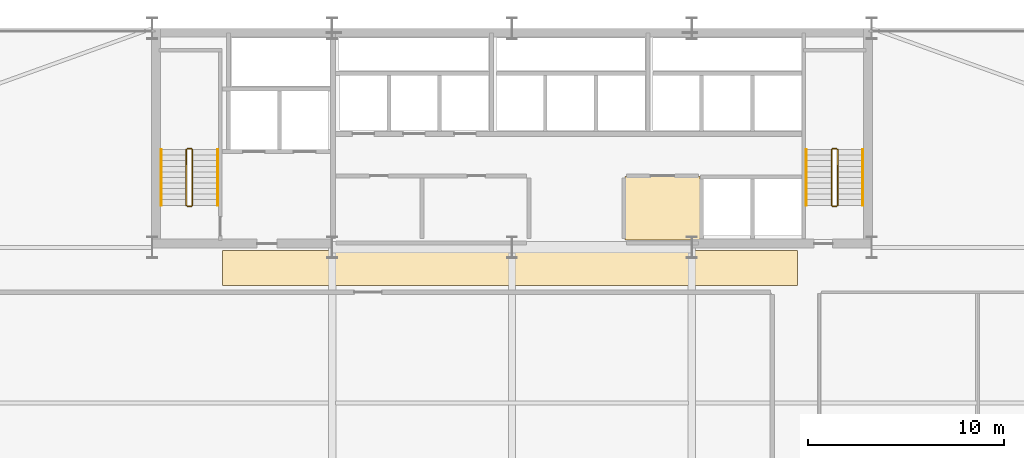
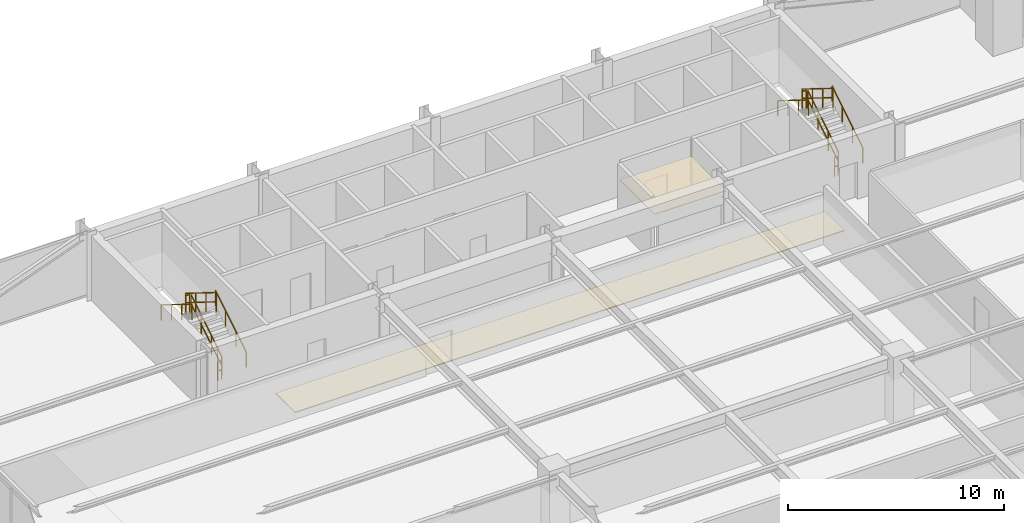
# One storey, part 31 of 31: 12 railings, 2 coverings.
"""IFC4 building model written with IfcOpenShell, lengths in metres."""

from ifc_helpers import new_model, si_unit, direction, frame, origin, origin_2d, place, context, subcontext, project, spatial, polyline, rectangle, outline, extrude, material, layer, layer_set, type_object, element, save


model = new_model("IFC4")

# Units and contexts
model_context = context("Model", 3, precision=1e-05, world=origin(), true_north=direction((0.0, 1.0)))
body_context = subcontext(model_context, "Body", "Model", "MODEL_VIEW")
ifc_project = project(units=[si_unit("LENGTHUNIT", "METRE"), si_unit("AREAUNIT", "SQUARE_METRE"), si_unit("VOLUMEUNIT", "CUBIC_METRE"), si_unit("PLANEANGLEUNIT", "RADIAN"), si_unit("MASSUNIT", "GRAM", prefix="KILO")], contexts=[model_context])

# Site, building, storey
site_placement = place(None, origin())
site = spatial("IfcSite", under=ifc_project, at=site_placement, CompositionType="ELEMENT")
building_placement = place(site_placement, origin())
building = spatial("IfcBuilding", under=site, at=building_placement, Name="Varnel Quay Broadcast Tower", CompositionType="ELEMENT")
storey_placement = place(building_placement, frame((0.0, 0.0, 39.300048828125)))
storey = spatial("IfcBuildingStorey", under=building, at=storey_placement, Name="L08", CompositionType="ELEMENT", Elevation=39.300048828125)

# Coverings
ifc_material_1 = material(Name="Micro-Perforated Acoustic Ceiling Tile")
ifc_layer_1 = layer(ifc_material_1, 0.0400390625, Name="Micro-Perforated Acoustic Ceiling Tile")
ifc_layer_set_1 = layer_set([ifc_layer_1], Name="Micro-Perforated Acoustic Ceiling Tile")
covering_type_1 = type_object("IfcCoveringType", Name="Cov_AcousticCeiling", PredefinedType="CEILING", material=ifc_layer_set_1)
covering_1_placement = place(storey_placement, frame((0.0, 0.0, 2.579833984375)))
element("IfcCovering", 1, at=covering_1_placement, inside=storey, type_object=covering_type_1, Name="L08 Electrical Sub-Distribution Closet Acoustic Ceiling", PredefinedType="CEILING", context=body_context, shape_type="SweptSolid", body=[
    extrude(outline(polyline([(39.784912109375, 35.985107421875), (43.614990234375, 35.985107421875), (43.614990234375, 39.215087890625), (39.784912109375, 39.215087890625), (39.784912109375, 35.985107421875)])), origin(), (0.0, 0.0, 1.0), 0.0400390625),
])
ifc_material_2 = material(Name="Polished Terrazzo & Broadcast Raised Flooring")
ifc_layer_2 = layer(ifc_material_2, 0.0400390625, Name="Polished Terrazzo & Broadcast Raised Flooring")
ifc_layer_set_2 = layer_set([ifc_layer_2], Name="Polished Terrazzo & Broadcast Raised Flooring")
covering_type_2 = type_object("IfcCoveringType", Name="Cov_TerrazzoFloor", PredefinedType="FLOORING", material=ifc_layer_set_2)
covering_2_placement = place(storey_placement, origin())
element("IfcCovering", 2, at=covering_2_placement, inside=storey, type_object=covering_type_2, Name="L08 Corridor Terrazzo Flooring", PredefinedType="FLOORING", context=body_context, shape_type="SweptSolid", body=[
    extrude(outline(polyline([(19.199951171875, 33.64990234375), (48.60009765625, 33.64990234375), (48.60009765625, 35.449951171875), (19.199951171875, 35.449951171875), (19.199951171875, 33.64990234375)])), origin(), (0.0, 0.0, 1.0), 0.0400390625),
])

# Railings
ifc_material_3 = material(Name="Painted Steel Guard and Handrail CSA G40.21 350W", Category="steel")
railing_type_1 = type_object("IfcRailingType", Name="Rail_StairGuard1100", PredefinedType="GUARDRAIL", material=ifc_material_3)
railing_1_placement = place(storey_placement, frame((17.64990234375, 37.75, 0.17724609375)))
element("IfcRailing", 3, at=railing_1_placement, inside=storey, type_object=railing_type_1, Name="L08 ST-01 stair guard 1", PredefinedType="GUARDRAIL", context=body_context, shape_type="SweptSolid", body=[
    extrude(rectangle(XDim=0.048095703125, YDim=0.048095703125, at=origin_2d()), frame((0.0, 0.0, 1.076171875), z_axis=(0.0, 0.849148672731, 0.528153890072), x_axis=(-1.0, 0.0, 0.0)), (0.0, 0.0, 1.0), 3.3564453125),
    extrude(rectangle(XDim=0.048095703125, YDim=0.048095703125, at=origin_2d()), frame((0.0, 0.0, 0.550048828125), z_axis=(0.0, 0.849148672731, 0.528153890072), x_axis=(-1.0, 0.0, 0.0)), (0.0, 0.0, 1.0), 3.3564453125),
    extrude(rectangle(XDim=0.0419921875, YDim=0.0419921875, at=origin_2d()), origin(), (0.0, 0.0, 1.0), 1.052001953125),
    extrude(rectangle(XDim=0.0419921875, YDim=0.0419921875, at=origin_2d()), frame((0.0, 0.949951171875, 0.5908203125)), (0.0, 0.0, 1.0), 1.052001953125),
    extrude(rectangle(XDim=0.0419921875, YDim=0.0419921875, at=origin_2d()), frame((0.0, 1.900146484375, 1.181884765625)), (0.0, 0.0, 1.0), 1.052001953125),
    extrude(rectangle(XDim=0.0419921875, YDim=0.0419921875, at=origin_2d()), frame((0.0, 2.85009765625, 1.772705078125)), (0.0, 0.0, 1.0), 1.052001953125),
])
railing_2_placement = place(storey_placement, frame((17.60009765625, 40.64990234375, 1.949951171875)))
element("IfcRailing", 4, at=railing_2_placement, inside=storey, type_object=railing_type_1, Name="L08 ST-01 stair guard 2", PredefinedType="GUARDRAIL", context=body_context, shape_type="SweptSolid", body=[
    extrude(rectangle(XDim=0.048095703125, YDim=0.048095703125, at=origin_2d()), frame((0.0, 0.0, 1.076171875), z_axis=(-1.0, 0.0, 0.0), x_axis=(0.0, -1.0, 0.0)), (0.0, 0.0, 1.0), 0.2001953125),
    extrude(rectangle(XDim=0.048095703125, YDim=0.048095703125, at=origin_2d()), frame((0.0, 0.0, 0.550048828125), z_axis=(-1.0, 0.0, 0.0), x_axis=(0.0, -1.0, 0.0)), (0.0, 0.0, 1.0), 0.2001953125),
    extrude(rectangle(XDim=0.0419921875, YDim=0.0419921875, at=origin_2d()), origin(), (0.0, 0.0, 1.0), 1.052001953125),
    extrude(rectangle(XDim=0.0419921875, YDim=0.0419921875, at=origin_2d()), frame((-0.2001953125, 0.0, 0.0)), (0.0, 0.0, 1.0), 1.052001953125),
])
railing_3_placement = place(storey_placement, frame((17.35009765625, 40.60009765625, 2.127197265625)))
element("IfcRailing", 5, at=railing_3_placement, inside=storey, type_object=railing_type_1, Name="L08 ST-01 stair guard 3", PredefinedType="GUARDRAIL", context=body_context, shape_type="SweptSolid", body=[
    extrude(rectangle(XDim=0.048095703125, YDim=0.048095703125, at=origin_2d()), frame((0.0, 0.0, 1.076171875), z_axis=(0.0, -0.849148672731, 0.528153890072), x_axis=(1.0, 0.0, 0.0)), (0.0, 0.0, 1.0), 3.3564453125),
    extrude(rectangle(XDim=0.048095703125, YDim=0.048095703125, at=origin_2d()), frame((0.0, 0.0, 0.550048828125), z_axis=(0.0, -0.849148672731, 0.528153890072), x_axis=(1.0, 0.0, 0.0)), (0.0, 0.0, 1.0), 3.3564453125),
    extrude(rectangle(XDim=0.0419921875, YDim=0.0419921875, at=origin_2d()), origin(), (0.0, 0.0, 1.0), 1.052001953125),
    extrude(rectangle(XDim=0.0419921875, YDim=0.0419921875, at=origin_2d()), frame((0.0, -0.949951171875, 0.5908203125)), (0.0, 0.0, 1.0), 1.052001953125),
    extrude(rectangle(XDim=0.0419921875, YDim=0.0419921875, at=origin_2d()), frame((0.0, -1.900146484375, 1.181884765625)), (0.0, 0.0, 1.0), 1.052001953125),
    extrude(rectangle(XDim=0.0419921875, YDim=0.0419921875, at=origin_2d()), frame((0.0, -2.85009765625, 1.772705078125)), (0.0, 0.0, 1.0), 1.052001953125),
])
railing_4_placement = place(storey_placement, frame((17.60009765625, 37.699951171875, 0.0)))
element("IfcRailing", 6, at=railing_4_placement, inside=storey, type_object=railing_type_1, Name="L08 ST-01 stair guard 4", PredefinedType="GUARDRAIL", context=body_context, shape_type="SweptSolid", body=[
    extrude(rectangle(XDim=0.048095703125, YDim=0.048095703125, at=origin_2d()), frame((0.0, 0.0, 1.076171875), z_axis=(-1.0, 0.0, 0.0), x_axis=(0.0, -1.0, 0.0)), (0.0, 0.0, 1.0), 0.2001953125),
    extrude(rectangle(XDim=0.048095703125, YDim=0.048095703125, at=origin_2d()), frame((0.0, 0.0, 0.550048828125), z_axis=(-1.0, 0.0, 0.0), x_axis=(0.0, -1.0, 0.0)), (0.0, 0.0, 1.0), 0.2001953125),
    extrude(rectangle(XDim=0.0419921875, YDim=0.0419921875, at=origin_2d()), origin(), (0.0, 0.0, 1.0), 1.052001953125),
    extrude(rectangle(XDim=0.0419921875, YDim=0.0419921875, at=origin_2d()), frame((-0.2001953125, 0.0, 0.0)), (0.0, 0.0, 1.0), 1.052001953125),
])
railing_5_placement = place(storey_placement, frame((50.64990234375, 37.75, 0.17724609375)))
element("IfcRailing", 7, at=railing_5_placement, inside=storey, type_object=railing_type_1, Name="L08 ST-02 stair guard 1", PredefinedType="GUARDRAIL", context=body_context, shape_type="SweptSolid", body=[
    extrude(rectangle(XDim=0.048095703125, YDim=0.048095703125, at=origin_2d()), frame((0.0, 0.0, 1.076171875), z_axis=(0.0, 0.849148672731, 0.528153890072), x_axis=(-1.0, 0.0, 0.0)), (0.0, 0.0, 1.0), 3.3564453125),
    extrude(rectangle(XDim=0.048095703125, YDim=0.048095703125, at=origin_2d()), frame((0.0, 0.0, 0.550048828125), z_axis=(0.0, 0.849148672731, 0.528153890072), x_axis=(-1.0, 0.0, 0.0)), (0.0, 0.0, 1.0), 3.3564453125),
    extrude(rectangle(XDim=0.0419921875, YDim=0.0419921875, at=origin_2d()), origin(), (0.0, 0.0, 1.0), 1.052001953125),
    extrude(rectangle(XDim=0.0419921875, YDim=0.0419921875, at=origin_2d()), frame((0.0, 0.949951171875, 0.5908203125)), (0.0, 0.0, 1.0), 1.052001953125),
    extrude(rectangle(XDim=0.0419921875, YDim=0.0419921875, at=origin_2d()), frame((0.0, 1.900146484375, 1.181884765625)), (0.0, 0.0, 1.0), 1.052001953125),
    extrude(rectangle(XDim=0.0419921875, YDim=0.0419921875, at=origin_2d()), frame((0.0, 2.85009765625, 1.772705078125)), (0.0, 0.0, 1.0), 1.052001953125),
])
railing_6_placement = place(storey_placement, frame((50.60009765625, 40.64990234375, 1.949951171875)))
element("IfcRailing", 8, at=railing_6_placement, inside=storey, type_object=railing_type_1, Name="L08 ST-02 stair guard 2", PredefinedType="GUARDRAIL", context=body_context, shape_type="SweptSolid", body=[
    extrude(rectangle(XDim=0.048095703125, YDim=0.048095703125, at=origin_2d()), frame((0.0, 0.0, 1.076171875), z_axis=(-1.0, 0.0, 0.0), x_axis=(0.0, -1.0, 0.0)), (0.0, 0.0, 1.0), 0.2001953125),
    extrude(rectangle(XDim=0.048095703125, YDim=0.048095703125, at=origin_2d()), frame((0.0, 0.0, 0.550048828125), z_axis=(-1.0, 0.0, 0.0), x_axis=(0.0, -1.0, 0.0)), (0.0, 0.0, 1.0), 0.2001953125),
    extrude(rectangle(XDim=0.0419921875, YDim=0.0419921875, at=origin_2d()), origin(), (0.0, 0.0, 1.0), 1.052001953125),
    extrude(rectangle(XDim=0.0419921875, YDim=0.0419921875, at=origin_2d()), frame((-0.2001953125, 0.0, 0.0)), (0.0, 0.0, 1.0), 1.052001953125),
])
railing_7_placement = place(storey_placement, frame((50.35009765625, 40.60009765625, 2.127197265625)))
element("IfcRailing", 9, at=railing_7_placement, inside=storey, type_object=railing_type_1, Name="L08 ST-02 stair guard 3", PredefinedType="GUARDRAIL", context=body_context, shape_type="SweptSolid", body=[
    extrude(rectangle(XDim=0.048095703125, YDim=0.048095703125, at=origin_2d()), frame((0.0, 0.0, 1.076171875), z_axis=(0.0, -0.849148672731, 0.528153890072), x_axis=(1.0, 0.0, 0.0)), (0.0, 0.0, 1.0), 3.3564453125),
    extrude(rectangle(XDim=0.048095703125, YDim=0.048095703125, at=origin_2d()), frame((0.0, 0.0, 0.550048828125), z_axis=(0.0, -0.849148672731, 0.528153890072), x_axis=(1.0, 0.0, 0.0)), (0.0, 0.0, 1.0), 3.3564453125),
    extrude(rectangle(XDim=0.0419921875, YDim=0.0419921875, at=origin_2d()), origin(), (0.0, 0.0, 1.0), 1.052001953125),
    extrude(rectangle(XDim=0.0419921875, YDim=0.0419921875, at=origin_2d()), frame((0.0, -0.949951171875, 0.5908203125)), (0.0, 0.0, 1.0), 1.052001953125),
    extrude(rectangle(XDim=0.0419921875, YDim=0.0419921875, at=origin_2d()), frame((0.0, -1.900146484375, 1.181884765625)), (0.0, 0.0, 1.0), 1.052001953125),
    extrude(rectangle(XDim=0.0419921875, YDim=0.0419921875, at=origin_2d()), frame((0.0, -2.85009765625, 1.772705078125)), (0.0, 0.0, 1.0), 1.052001953125),
])
railing_8_placement = place(storey_placement, frame((50.60009765625, 37.699951171875, 0.0)))
element("IfcRailing", 10, at=railing_8_placement, inside=storey, type_object=railing_type_1, Name="L08 ST-02 stair guard 4", PredefinedType="GUARDRAIL", context=body_context, shape_type="SweptSolid", body=[
    extrude(rectangle(XDim=0.048095703125, YDim=0.048095703125, at=origin_2d()), frame((0.0, 0.0, 1.076171875), z_axis=(-1.0, 0.0, 0.0), x_axis=(0.0, -1.0, 0.0)), (0.0, 0.0, 1.0), 0.2001953125),
    extrude(rectangle(XDim=0.048095703125, YDim=0.048095703125, at=origin_2d()), frame((0.0, 0.0, 0.550048828125), z_axis=(-1.0, 0.0, 0.0), x_axis=(0.0, -1.0, 0.0)), (0.0, 0.0, 1.0), 0.2001953125),
    extrude(rectangle(XDim=0.0419921875, YDim=0.0419921875, at=origin_2d()), origin(), (0.0, 0.0, 1.0), 1.052001953125),
    extrude(rectangle(XDim=0.0419921875, YDim=0.0419921875, at=origin_2d()), frame((-0.2001953125, 0.0, 0.0)), (0.0, 0.0, 1.0), 1.052001953125),
])
railing_type_2 = type_object("IfcRailingType", Name="Rail_StairHandrail900", PredefinedType="HANDRAIL", material=ifc_material_3)
railing_9_placement = place(storey_placement, frame((18.949951171875, 37.75, 0.17724609375)))
element("IfcRailing", 11, at=railing_9_placement, inside=storey, type_object=railing_type_2, Name="L08 ST-01 stair handrail 1", PredefinedType="HANDRAIL", context=body_context, shape_type="SweptSolid", body=[
    extrude(rectangle(XDim=0.048095703125, YDim=0.048095703125, at=origin_2d()), frame((0.0, 0.0, 0.8759765625), z_axis=(0.0, 0.849148672731, 0.528153890072), x_axis=(-1.0, 0.0, 0.0)), (0.0, 0.0, 1.0), 3.3564453125),
    extrude(rectangle(XDim=0.0419921875, YDim=0.0419921875, at=origin_2d()), origin(), (0.0, 0.0, 1.0), 0.851806640625),
    extrude(rectangle(XDim=0.0419921875, YDim=0.0419921875, at=origin_2d()), frame((0.0, 0.949951171875, 0.5908203125)), (0.0, 0.0, 1.0), 0.851806640625),
    extrude(rectangle(XDim=0.0419921875, YDim=0.0419921875, at=origin_2d()), frame((0.0, 1.900146484375, 1.181884765625)), (0.0, 0.0, 1.0), 0.851806640625),
    extrude(rectangle(XDim=0.0419921875, YDim=0.0419921875, at=origin_2d()), frame((0.0, 2.85009765625, 1.772705078125)), (0.0, 0.0, 1.0), 0.851806640625),
])
railing_10_placement = place(storey_placement, frame((16.050048828125, 40.60009765625, 2.127197265625)))
element("IfcRailing", 12, at=railing_10_placement, inside=storey, type_object=railing_type_2, Name="L08 ST-01 stair handrail 2", PredefinedType="HANDRAIL", context=body_context, shape_type="SweptSolid", body=[
    extrude(rectangle(XDim=0.048095703125, YDim=0.048095703125, at=origin_2d()), frame((0.0, 0.0, 0.8759765625), z_axis=(0.0, -0.849148672731, 0.528153890072), x_axis=(1.0, 0.0, 0.0)), (0.0, 0.0, 1.0), 3.3564453125),
    extrude(rectangle(XDim=0.0419921875, YDim=0.0419921875, at=origin_2d()), origin(), (0.0, 0.0, 1.0), 0.851806640625),
    extrude(rectangle(XDim=0.0419921875, YDim=0.0419921875, at=origin_2d()), frame((0.0, -0.949951171875, 0.5908203125)), (0.0, 0.0, 1.0), 0.851806640625),
    extrude(rectangle(XDim=0.0419921875, YDim=0.0419921875, at=origin_2d()), frame((0.0, -1.900146484375, 1.181884765625)), (0.0, 0.0, 1.0), 0.851806640625),
    extrude(rectangle(XDim=0.0419921875, YDim=0.0419921875, at=origin_2d()), frame((0.0, -2.85009765625, 1.772705078125)), (0.0, 0.0, 1.0), 0.851806640625),
])
railing_11_placement = place(storey_placement, frame((51.949951171875, 37.75, 0.17724609375)))
element("IfcRailing", 13, at=railing_11_placement, inside=storey, type_object=railing_type_2, Name="L08 ST-02 stair handrail 1", PredefinedType="HANDRAIL", context=body_context, shape_type="SweptSolid", body=[
    extrude(rectangle(XDim=0.048095703125, YDim=0.048095703125, at=origin_2d()), frame((0.0, 0.0, 0.8759765625), z_axis=(0.0, 0.849148672731, 0.528153890072), x_axis=(-1.0, 0.0, 0.0)), (0.0, 0.0, 1.0), 3.3564453125),
    extrude(rectangle(XDim=0.0419921875, YDim=0.0419921875, at=origin_2d()), origin(), (0.0, 0.0, 1.0), 0.851806640625),
    extrude(rectangle(XDim=0.0419921875, YDim=0.0419921875, at=origin_2d()), frame((0.0, 0.949951171875, 0.5908203125)), (0.0, 0.0, 1.0), 0.851806640625),
    extrude(rectangle(XDim=0.0419921875, YDim=0.0419921875, at=origin_2d()), frame((0.0, 1.900146484375, 1.181884765625)), (0.0, 0.0, 1.0), 0.851806640625),
    extrude(rectangle(XDim=0.0419921875, YDim=0.0419921875, at=origin_2d()), frame((0.0, 2.85009765625, 1.772705078125)), (0.0, 0.0, 1.0), 0.851806640625),
])
railing_12_placement = place(storey_placement, frame((49.050048828125, 40.60009765625, 2.127197265625)))
element("IfcRailing", 14, at=railing_12_placement, inside=storey, type_object=railing_type_2, Name="L08 ST-02 stair handrail 2", PredefinedType="HANDRAIL", context=body_context, shape_type="SweptSolid", body=[
    extrude(rectangle(XDim=0.048095703125, YDim=0.048095703125, at=origin_2d()), frame((0.0, 0.0, 0.8759765625), z_axis=(0.0, -0.849148672731, 0.528153890072), x_axis=(1.0, 0.0, 0.0)), (0.0, 0.0, 1.0), 3.3564453125),
    extrude(rectangle(XDim=0.0419921875, YDim=0.0419921875, at=origin_2d()), origin(), (0.0, 0.0, 1.0), 0.851806640625),
    extrude(rectangle(XDim=0.0419921875, YDim=0.0419921875, at=origin_2d()), frame((0.0, -0.949951171875, 0.5908203125)), (0.0, 0.0, 1.0), 0.851806640625),
    extrude(rectangle(XDim=0.0419921875, YDim=0.0419921875, at=origin_2d()), frame((0.0, -1.900146484375, 1.181884765625)), (0.0, 0.0, 1.0), 0.851806640625),
    extrude(rectangle(XDim=0.0419921875, YDim=0.0419921875, at=origin_2d()), frame((0.0, -2.85009765625, 1.772705078125)), (0.0, 0.0, 1.0), 0.851806640625),
])

save(model, "model.ifc")
